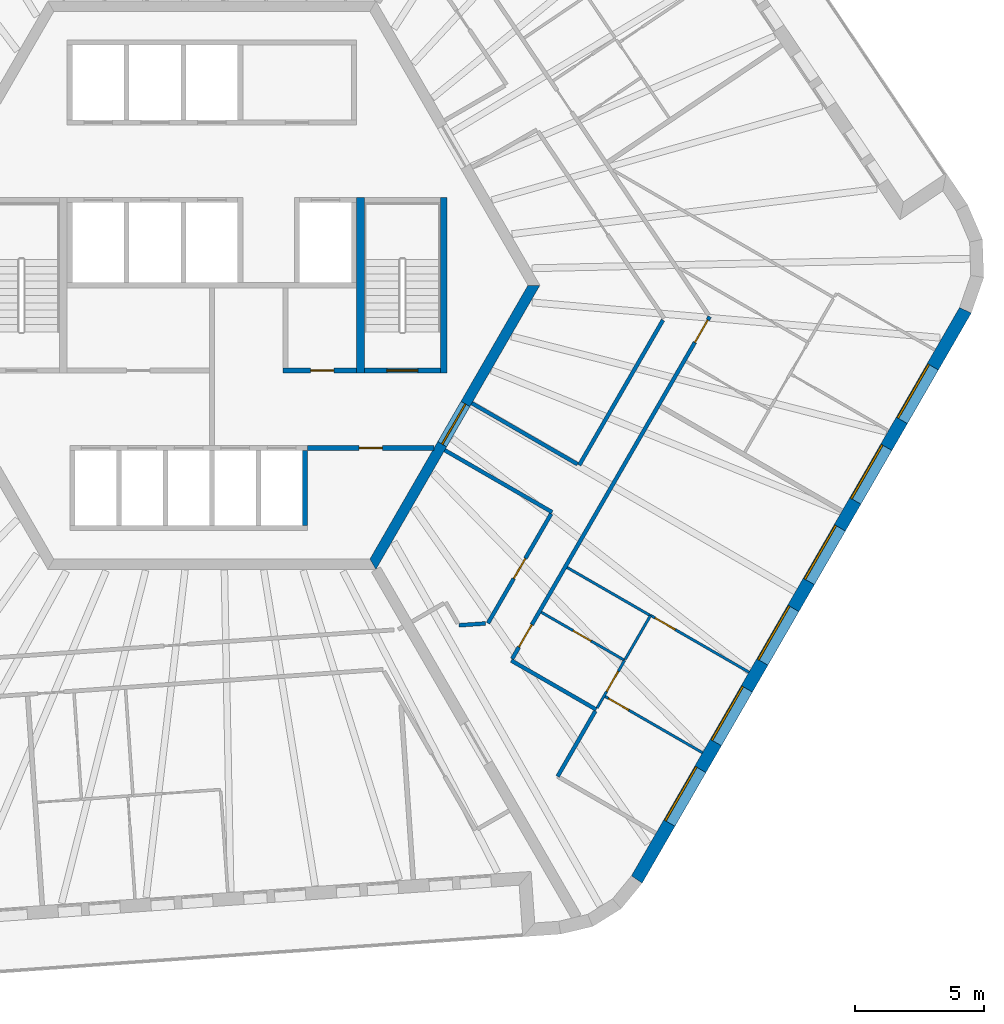
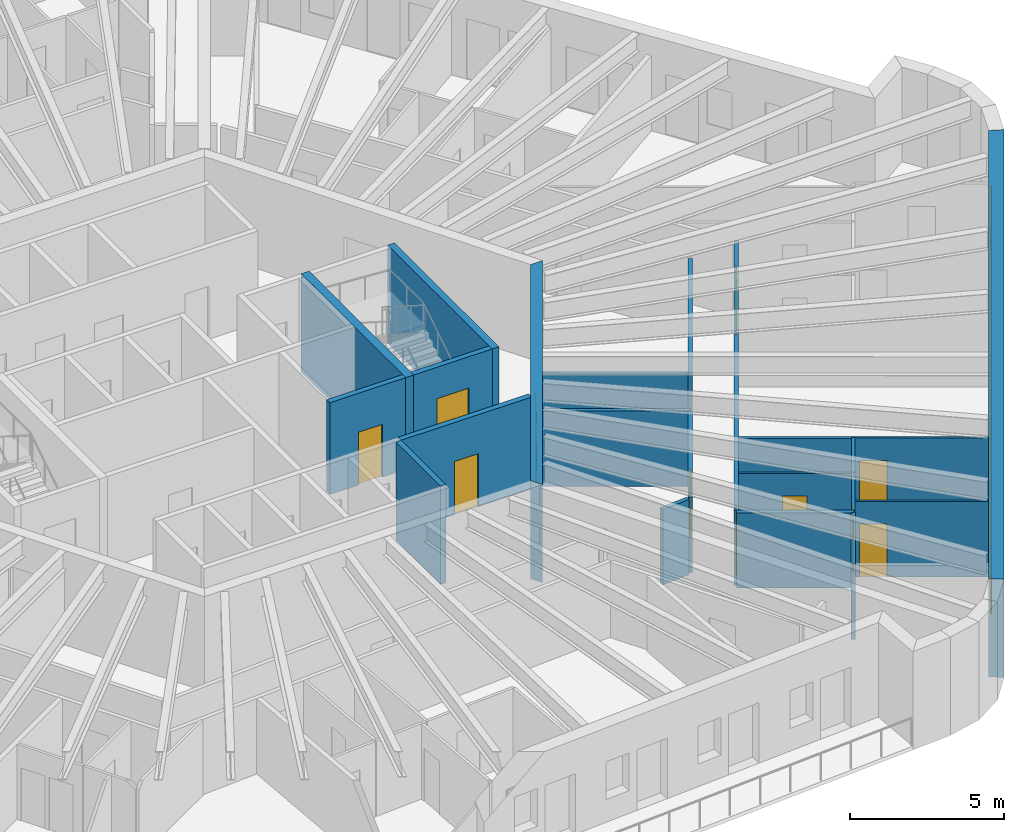
# One storey, part 6 of 12: 22 walls, 11 doors, 6 windows, 17 openings.
"""IFC4 building model written with IfcOpenShell, lengths in metres."""

from ifc_helpers import new_model, si_unit, direction, frame, frame_2d, origin, place, context, subcontext, project, spatial, polyline, rectangle, outline, extrude, material, layer, layer_set, type_object, element, fill, save


model = new_model("IFC4")

# Units and contexts
model_context = context("Model", 3, precision=1e-05, world=origin(), true_north=direction((0.0, 1.0)))
body_context = subcontext(model_context, "Body", "Model", "MODEL_VIEW")
ifc_project = project(units=[si_unit("LENGTHUNIT", "METRE"), si_unit("AREAUNIT", "SQUARE_METRE"), si_unit("VOLUMEUNIT", "CUBIC_METRE"), si_unit("PLANEANGLEUNIT", "RADIAN"), si_unit("MASSUNIT", "GRAM", prefix="KILO")], contexts=[model_context])

# Site, building, storey
site_placement = place(None, origin())
site = spatial("IfcSite", under=ifc_project, at=site_placement, CompositionType="ELEMENT")
building_placement = place(site_placement, origin())
building = spatial("IfcBuilding", under=site, at=building_placement, Name="Tarnside Tower", CompositionType="ELEMENT")
storey_placement = place(building_placement, frame((0.0, 0.0, 283.5)))
storey = spatial("IfcBuildingStorey", under=building, at=storey_placement, Name="L68", CompositionType="ELEMENT", Elevation=283.5)

# Wall
ifc_material_1 = material(Name="Gypsum board partition on steel studs", Category="steel")
ifc_layer_1 = layer(ifc_material_1, 0.10009765625)
ifc_layer_set_1 = layer_set([ifc_layer_1], Name="Bathroom wall 100")
wall_type_1 = type_object("IfcWallType", Name="Bathroom wall 100", PredefinedType="PARTITIONING", material=ifc_layer_set_1)
wall_1_placement = place(storey_placement, frame((13.754150390625, -10.92724609375, 0.0), z_axis=(0.0, 0.0, 1.0), x_axis=(0.866040420308, -0.499973989716, 0.0)))
element("IfcWall", 1, at=wall_1_placement, inside=storey, type_object=wall_type_1, Name="Bathroom wall 22146", PredefinedType="PARTITIONING", context=body_context, shape_type="SweptSolid", body=[
    extrude(rectangle(XDim=3.724853515625, YDim=0.10009765625, at=frame_2d((1.8623046875, 0.0))), origin(), (0.0, 0.0, 1.0), 2.98779296875),
])

# Wall, opening, door
wall_2_placement = place(storey_placement, frame((15.97998046875, -14.521728515625, 0.0), z_axis=(0.0, 0.0, 1.0), x_axis=(-0.866012039196, 0.500023147432, 0.0)))
wall_2 = element("IfcWall", 2, at=wall_2_placement, inside=storey, type_object=wall_type_1, Name="Bathroom wall 22150", PredefinedType="PARTITIONING", context=body_context, shape_type="SweptSolid", body=[
    extrude(rectangle(XDim=3.724853515625, YDim=0.10009765625, at=frame_2d((1.8623046875, 0.0))), origin(), (0.0, 0.0, 1.0), 2.98779296875),
])
opening_1_placement = place(wall_2_placement, frame((1.5, 0.0, 0.0)))
opening_1 = element("IfcOpeningElement", 3, at=opening_1_placement, cuts=wall_2, Name="Opening D-B1", PredefinedType="OPENING", context=body_context, shape_type="SweptSolid", body=[
    extrude(rectangle(XDim=0.800048828125, YDim=2.10009765625, at=frame_2d((0.39990234375, 1.050048828125))), frame((0.0, 0.06005859375, 0.0), z_axis=(0.0, -1.0, 0.0), x_axis=(1.0, 0.0, 0.0)), (0.0, 0.0, 1.0), 0.1201171875),
])
ifc_material_2 = material(Name="Timber door leaf", Category="wood")
door_type_1 = type_object("IfcDoorType", Name="Bathroom door 800", OperationType="NOTDEFINED", PredefinedType="DOOR", material=ifc_material_2)
door_1_placement = place(opening_1_placement, origin())
door_1 = element("IfcDoor", 4, at=door_1_placement, inside=storey, type_object=door_type_1, Name="Bathroom door 22056", OperationType="SINGLE_SWING_LEFT", OverallHeight=2.10009765625, OverallWidth=0.800048828125, PredefinedType="DOOR", context=body_context, shape_type="SweptSolid", body=[
    extrude(rectangle(XDim=0.800048828125, YDim=2.10009765625, at=frame_2d((0.39990234375, 1.050048828125))), frame((0.0, 0.02490234375, 0.0), z_axis=(0.0, -1.0, 0.0), x_axis=(1.0, 0.0, 0.0)), (0.0, 0.0, 1.0), 0.050048828125),
])
fill(opening_1, door_1)

# Wall
wall_3_placement = place(storey_placement, frame((16.004150390625, -14.480224609375, 0.0), z_axis=(0.0, 0.0, 1.0), x_axis=(0.499888292545, 0.866089888508, 0.0)))
element("IfcWall", 5, at=wall_3_placement, inside=storey, type_object=wall_type_1, Name="Bathroom wall 22153", PredefinedType="PARTITIONING", context=body_context, shape_type="SweptSolid", body=[
    extrude(rectangle(XDim=1.9541015625, YDim=0.10009765625, at=frame_2d((0.97705078125, 0.0))), origin(), (0.0, 0.0, 1.0), 2.98779296875),
])

# Wall, opening, door
ifc_material_3 = material(Name="Concrete C40/50", Category="concrete")
ifc_layer_2 = layer(ifc_material_3, 0.199951171875)
ifc_layer_set_2 = layer_set([ifc_layer_2], Name="Core room partition 200 C40/50")
wall_type_2 = type_object("IfcWallType", Name="Core room partition 200 C40/50", PredefinedType="PARTITIONING", material=ifc_layer_set_2)
wall_4_placement = place(storey_placement, frame((2.75, -3.300048828125, 0.0), z_axis=(0.0, 0.0, 1.0), x_axis=(1.0, 0.0, 0.0)))
wall_4 = element("IfcWall", 6, at=wall_4_placement, inside=storey, type_object=wall_type_2, Name="L68 core partition R3S1", PredefinedType="PARTITIONING", context=body_context, shape_type="SweptSolid", body=[
    extrude(rectangle(XDim=2.85009765625, YDim=0.199951171875, at=frame_2d((1.425048828125, 0.0))), origin(), (0.0, 0.0, 1.0), 3.64990234375),
])
opening_2_placement = place(wall_4_placement, frame((1.074951171875, 0.0, 0.0)))
opening_2 = element("IfcOpeningElement", 7, at=opening_2_placement, cuts=wall_4, Name="Opening CD-room", PredefinedType="OPENING", context=body_context, shape_type="SweptSolid", body=[
    extrude(rectangle(XDim=0.89990234375, YDim=2.10009765625, at=frame_2d((0.449951171875, 1.050048828125))), frame((0.0, 0.10986328125, 0.0), z_axis=(0.0, -1.0, 0.0), x_axis=(1.0, 0.0, 0.0)), (0.0, 0.0, 1.0), 0.219970703125),
])
ifc_material_4 = material(Name="Steel fire door", Category="steel")
door_type_2 = type_object("IfcDoorType", Name="Room door FD60 900x2100", OperationType="NOTDEFINED", PredefinedType="DOOR", material=ifc_material_4)
door_2_placement = place(opening_2_placement, origin())
door_2 = element("IfcDoor", 8, at=door_2_placement, inside=storey, type_object=door_type_2, Name="L68 core room door SR1", OperationType="SINGLE_SWING_LEFT", OverallHeight=2.10009765625, OverallWidth=0.89990234375, PredefinedType="DOOR", context=body_context, shape_type="SweptSolid", body=[
    extrude(rectangle(XDim=0.89990234375, YDim=2.10009765625, at=frame_2d((0.449951171875, 1.050048828125))), frame((0.0, 0.02490234375, 0.0), z_axis=(0.0, -1.0, 0.0), x_axis=(1.0, 0.0, 0.0)), (0.0, 0.0, 1.0), 0.050048828125),
])
fill(opening_2, door_2)

wall_5_placement = place(storey_placement, frame((3.699951171875, -6.300048828125, 0.0), z_axis=(0.0, 0.0, 1.0), x_axis=(1.0, 0.0, 0.0)))
wall_5 = element("IfcWall", 9, at=wall_5_placement, inside=storey, type_object=wall_type_2, Name="L68 core partition R4X", PredefinedType="PARTITIONING", context=body_context, shape_type="SweptSolid", body=[
    extrude(rectangle(XDim=4.902587890625, YDim=0.199951171875, at=frame_2d((2.451171875, 0.0))), origin(), (0.0, 0.0, 1.0), 3.64990234375),
])
opening_3_placement = place(wall_5_placement, frame((2.001220703125, 0.0, 0.0)))
opening_3 = element("IfcOpeningElement", 10, at=opening_3_placement, cuts=wall_5, Name="Opening CD-room", PredefinedType="OPENING", context=body_context, shape_type="SweptSolid", body=[
    extrude(rectangle(XDim=0.89990234375, YDim=2.10009765625, at=frame_2d((0.449951171875, 1.050048828125))), frame((0.0, 0.10986328125, 0.0), z_axis=(0.0, -1.0, 0.0), x_axis=(1.0, 0.0, 0.0)), (0.0, 0.0, 1.0), 0.219970703125),
])
door_3_placement = place(opening_3_placement, origin())
door_3 = element("IfcDoor", 11, at=door_3_placement, inside=storey, type_object=door_type_2, Name="L68 core room door RX", OperationType="SINGLE_SWING_LEFT", OverallHeight=2.10009765625, OverallWidth=0.89990234375, PredefinedType="DOOR", context=body_context, shape_type="SweptSolid", body=[
    extrude(rectangle(XDim=0.89990234375, YDim=2.10009765625, at=frame_2d((0.449951171875, 1.050048828125))), frame((0.0, 0.02490234375, 0.0), z_axis=(0.0, -1.0, 0.0), x_axis=(1.0, 0.0, 0.0)), (0.0, 0.0, 1.0), 0.050048828125),
])
fill(opening_3, door_3)

ifc_material_5 = material(Name="Concrete C60/75", Category="concrete")
ifc_layer_3 = layer(ifc_material_5, 0.39990234375)
ifc_layer_set_3 = layer_set([ifc_layer_3], Name="Core wall Z3 400 C60/75")
wall_type_3 = type_object("IfcWallType", Name="Core wall Z3 400 C60/75", PredefinedType="SHEAR", material=ifc_layer_set_3)
wall_6_placement = place(storey_placement, frame((6.2353515625, -10.800048828125, -0.14990234375), z_axis=(0.0, 0.0, 1.0), x_axis=(0.499996419489, 0.866027470984, 0.0)))
wall_6 = element("IfcWall", 12, at=wall_6_placement, inside=storey, type_object=wall_type_3, Name="L68 core wall face 5", PredefinedType="SHEAR", context=body_context, shape_type="SweptSolid", body=[
    extrude(outline(polyline([(-0.115478515625, -0.199951171875), (12.586181640625, -0.199951171875), (12.355224609375, 0.199951171875), (0.115478515625, 0.199951171875), (-0.115478515625, -0.199951171875)])), origin(), (0.0, 0.0, 1.0), 3.89990234375),
])
opening_4_placement = place(wall_6_placement, frame((5.3642578125, 0.0, 0.14990234375)))
opening_4 = element("IfcOpeningElement", 13, at=opening_4_placement, cuts=wall_6, Name="Opening CD-FFL", PredefinedType="OPENING", context=body_context, shape_type="SweptSolid", body=[
    extrude(rectangle(XDim=1.800048828125, YDim=2.39990234375, at=frame_2d((0.89990234375, 1.199951171875))), frame((0.0, 0.2099609375, 0.0), z_axis=(0.0, -1.0, 0.0), x_axis=(1.0, 0.0, 0.0)), (0.0, 0.0, 1.0), 0.419921875),
])
door_type_3 = type_object("IfcDoorType", Name="Firefighting lobby double door FD60S 1800x2400", OperationType="NOTDEFINED", PredefinedType="DOOR", material=ifc_material_4)
door_4_placement = place(opening_4_placement, origin())
door_4 = element("IfcDoor", 14, at=door_4_placement, inside=storey, type_object=door_type_3, Name="L68 core door P4", OperationType="DOUBLE_DOOR_SINGLE_SWING", OverallHeight=2.39990234375, OverallWidth=1.800048828125, PredefinedType="DOOR", context=body_context, shape_type="SweptSolid", body=[
    extrude(rectangle(XDim=1.800048828125, YDim=2.39990234375, at=frame_2d((0.89990234375, 1.199951171875))), frame((0.0, 0.02490234375, 0.0), z_axis=(0.0, -1.0, 0.0), x_axis=(1.0, 0.0, 0.0)), (0.0, 0.0, 1.0), 0.050048828125),
])
fill(opening_4, door_4)

# Wall, openings, doors
ifc_layer_4 = layer(ifc_material_1, 0.14990234375)
ifc_layer_set_4 = layer_set([ifc_layer_4], Name="Corridor wall 150 EI 60")
wall_type_4 = type_object("IfcWallType", Name="Corridor wall 150 EI 60", PredefinedType="PARTITIONING", material=ifc_layer_set_4)
wall_7_placement = place(storey_placement, frame((11.626708984375, -14.4619140625, 0.0), z_axis=(0.0, 0.0, 1.0), x_axis=(0.499994634027, 0.866028501808, 0.0)))
wall_7 = element("IfcWall", 15, at=wall_7_placement, inside=storey, type_object=wall_type_4, Name="Corridor wall 22055", PredefinedType="PARTITIONING", context=body_context, shape_type="SweptSolid", body=[
    extrude(rectangle(XDim=15.296142578125, YDim=0.14990234375, at=frame_2d((7.64794921875, 0.0))), origin(), (0.0, 0.0, 1.0), 2.98779296875),
])
opening_5_placement = place(wall_7_placement, frame((0.52490234375, 0.0, 0.0)))
opening_5 = element("IfcOpeningElement", 16, at=opening_5_placement, cuts=wall_7, Name="Opening D-E1", PredefinedType="OPENING", context=body_context, shape_type="SweptSolid", body=[
    extrude(rectangle(XDim=1.0, YDim=2.10009765625, at=frame_2d((0.5, 1.050048828125))), frame((0.0, 0.0849609375, 0.0), z_axis=(0.0, -1.0, 0.0), x_axis=(1.0, 0.0, 0.0)), (0.0, 0.0, 1.0), 0.169921875),
])
opening_6_placement = place(wall_7_placement, frame((14.146240234375, 0.0, 0.0)))
opening_6 = element("IfcOpeningElement", 17, at=opening_6_placement, cuts=wall_7, Name="Opening D-E1", PredefinedType="OPENING", context=body_context, shape_type="SweptSolid", body=[
    extrude(rectangle(XDim=1.0, YDim=2.10009765625, at=frame_2d((0.5, 1.050048828125))), frame((0.0, 0.0849609375, 0.0), z_axis=(0.0, -1.0, 0.0), x_axis=(1.0, 0.0, 0.0)), (0.0, 0.0, 1.0), 0.169921875),
])
door_type_4 = type_object("IfcDoorType", Name="Unit entrance door 1000 FD30S", OperationType="NOTDEFINED", PredefinedType="DOOR", material=ifc_material_2)
door_5_placement = place(opening_5_placement, origin())
door_5 = element("IfcDoor", 18, at=door_5_placement, inside=storey, type_object=door_type_4, Name="Unit door 22055", OperationType="SINGLE_SWING_RIGHT", OverallHeight=2.10009765625, OverallWidth=1.0, PredefinedType="DOOR", context=body_context, shape_type="SweptSolid", body=[
    extrude(rectangle(XDim=1.0, YDim=2.10009765625, at=frame_2d((0.5, 1.050048828125))), frame((0.0, 0.02490234375, 0.0), z_axis=(0.0, -1.0, 0.0), x_axis=(1.0, 0.0, 0.0)), (0.0, 0.0, 1.0), 0.050048828125),
])
fill(opening_5, door_5)
door_6_placement = place(opening_6_placement, origin())
door_6 = element("IfcDoor", 19, at=door_6_placement, inside=storey, type_object=door_type_4, Name="Unit door 22065", OperationType="SINGLE_SWING_LEFT", OverallHeight=2.10009765625, OverallWidth=1.0, PredefinedType="DOOR", context=body_context, shape_type="SweptSolid", body=[
    extrude(rectangle(XDim=1.0, YDim=2.10009765625, at=frame_2d((0.5, 1.050048828125))), frame((0.0, 0.02490234375, 0.0), z_axis=(0.0, -1.0, 0.0), x_axis=(1.0, 0.0, 0.0)), (0.0, 0.0, 1.0), 0.050048828125),
])
fill(opening_6, door_6)

# Walls
wall_8_placement = place(storey_placement, frame((14.880126953125, -16.427001953125, 0.0), z_axis=(0.0, 0.0, 1.0), x_axis=(-0.86601654697, 0.500015340139, 0.0)))
element("IfcWall", 20, at=wall_8_placement, inside=storey, type_object=wall_type_4, Name="Corridor wall 22056", PredefinedType="PARTITIONING", context=body_context, shape_type="SweptSolid", body=[
    extrude(rectangle(XDim=3.80029296875, YDim=0.14990234375, at=frame_2d((1.900146484375, 0.0))), origin(), (0.0, 0.0, 1.0), 2.98779296875),
])
wall_9_placement = place(storey_placement, frame((13.38623046875, -19.014404296875, 0.0), z_axis=(0.0, 0.0, 1.0), x_axis=(0.499983307531, 0.866035040971, 0.0)))
element("IfcWall", 21, at=wall_9_placement, inside=storey, type_object=wall_type_4, Name="Corridor wall 22059", PredefinedType="PARTITIONING", context=body_context, shape_type="SweptSolid", body=[
    extrude(rectangle(XDim=2.91650390625, YDim=0.14990234375, at=frame_2d((1.458251953125, 0.0))), origin(), (0.0, 0.0, 1.0), 2.98779296875),
])
wall_10_placement = place(storey_placement, frame((17.46533203125, -1.34912109375, 0.0), z_axis=(0.0, 0.0, 1.0), x_axis=(-0.500001610943, -0.866024473704, 0.0)))
element("IfcWall", 22, at=wall_10_placement, inside=storey, type_object=wall_type_4, Name="Corridor wall 22074", PredefinedType="PARTITIONING", context=body_context, shape_type="SweptSolid", body=[
    extrude(rectangle(XDim=6.4853515625, YDim=0.14990234375, at=frame_2d((3.24267578125, 0.0))), origin(), (0.0, 0.0, 1.0), 2.98779296875),
])
wall_11_placement = place(storey_placement, frame((14.15771484375, -6.92822265625, 0.0), z_axis=(0.0, 0.0, 1.0), x_axis=(-0.866024684746, 0.500001245408, 0.0)))
element("IfcWall", 23, at=wall_11_placement, inside=storey, type_object=wall_type_4, Name="Corridor wall 22075", PredefinedType="PARTITIONING", context=body_context, shape_type="SweptSolid", body=[
    extrude(rectangle(XDim=4.72509765625, YDim=0.14990234375, at=frame_2d((2.362548828125, 0.0))), origin(), (0.0, 0.0, 1.0), 2.98779296875),
])
wall_12_placement = place(storey_placement, frame((9.015625, -6.38427734375, 0.0), z_axis=(0.0, 0.0, 1.0), x_axis=(0.866015339567, -0.500017431331, 0.0)))
element("IfcWall", 24, at=wall_12_placement, inside=storey, type_object=wall_type_4, Name="Corridor wall 22076", PredefinedType="PARTITIONING", context=body_context, shape_type="SweptSolid", body=[
    extrude(rectangle(XDim=4.800048828125, YDim=0.14990234375, at=frame_2d((2.39990234375, 0.0))), origin(), (0.0, 0.0, 1.0), 2.98779296875),
])

# Wall, opening, door
wall_13_placement = place(storey_placement, frame((13.13525390625, -8.849365234375, 0.0), z_axis=(0.0, 0.0, 1.0), x_axis=(-0.500024829938, -0.866011067739, 0.0)))
wall_13 = element("IfcWall", 25, at=wall_13_placement, inside=storey, type_object=wall_type_4, Name="Corridor wall 22077", PredefinedType="PARTITIONING", context=body_context, shape_type="SweptSolid", body=[
    extrude(rectangle(XDim=4.892333984375, YDim=0.14990234375, at=frame_2d((2.4462890625, 0.0))), origin(), (0.0, 0.0, 1.0), 2.98779296875),
])
opening_7_placement = place(wall_13_placement, frame((1.996337890625, 0.0, 0.0)))
opening_7 = element("IfcOpeningElement", 26, at=opening_7_placement, cuts=wall_13, Name="Opening D-S1", PredefinedType="OPENING", context=body_context, shape_type="SweptSolid", body=[
    extrude(rectangle(XDim=0.89990234375, YDim=2.10009765625, at=frame_2d((0.449951171875, 1.050048828125))), frame((0.0, 0.0849609375, 0.0), z_axis=(0.0, -1.0, 0.0), x_axis=(1.0, 0.0, 0.0)), (0.0, 0.0, 1.0), 0.169921875),
])
door_type_5 = type_object("IfcDoorType", Name="Service room door 900 FD30S", OperationType="NOTDEFINED", PredefinedType="DOOR", material=ifc_material_2)
door_7_placement = place(opening_7_placement, origin())
door_7 = element("IfcDoor", 27, at=door_7_placement, inside=storey, type_object=door_type_5, Name="Service door 22091", OperationType="SINGLE_SWING_LEFT", OverallHeight=2.10009765625, OverallWidth=0.89990234375, PredefinedType="DOOR", context=body_context, shape_type="SweptSolid", body=[
    extrude(rectangle(XDim=0.89990234375, YDim=2.10009765625, at=frame_2d((0.449951171875, 1.050048828125))), frame((0.0, 0.02490234375, 0.0), z_axis=(0.0, -1.0, 0.0), x_axis=(1.0, 0.0, 0.0)), (0.0, 0.0, 1.0), 0.050048828125),
])
fill(opening_7, door_7)

# Walls
wall_14_placement = place(storey_placement, frame((10.5986328125, -13.092529296875, 0.0), z_axis=(0.0, 0.0, 1.0), x_axis=(-0.99755453913, -0.069892356245, 0.0)))
element("IfcWall", 28, at=wall_14_placement, inside=storey, type_object=wall_type_4, Name="Corridor wall 22078", PredefinedType="PARTITIONING", context=body_context, shape_type="SweptSolid", body=[
    extrude(rectangle(XDim=1.037353515625, YDim=0.14990234375, at=frame_2d((0.5185546875, 0.0))), origin(), (0.0, 0.0, 1.0), 2.98779296875),
])
ifc_layer_5 = layer(ifc_material_3, 0.199951171875)
ifc_layer_set_5 = layer_set([ifc_layer_5], Name="Lift shaft wall 200 C40/50")
wall_type_5 = type_object("IfcWallType", Name="Lift shaft wall 200 C40/50", PredefinedType="SHEAR", material=ifc_layer_set_5)
wall_15_placement = place(storey_placement, frame((3.60009765625, -9.300048828125, -0.25), z_axis=(0.0, 0.0, 1.0), x_axis=(0.0, 1.0, 0.0)))
element("IfcWall", 29, at=wall_15_placement, inside=storey, type_object=wall_type_5, Name="L68 lift shaft partition R46", PredefinedType="SHEAR", context=body_context, shape_type="SweptSolid", body=[
    extrude(rectangle(XDim=2.900146484375, YDim=0.199951171875, at=frame_2d((1.4501953125, 0.0))), origin(), (0.0, 0.0, 1.0), 3.89990234375),
])

# Wall, opening, door
wall_16_placement = place(storey_placement, frame((5.89990234375, -3.300048828125, -0.25), z_axis=(0.0, 0.0, 1.0), x_axis=(1.0, 0.0, 0.0)))
wall_16 = element("IfcWall", 30, at=wall_16_placement, inside=storey, type_object=wall_type_5, Name="L68 stair 1 enclosure cap wall s", PredefinedType="SHEAR", context=body_context, shape_type="SweptSolid", body=[
    extrude(rectangle(XDim=2.9501953125, YDim=0.199951171875, at=frame_2d((1.47509765625, 0.0))), origin(), (0.0, 0.0, 1.0), 3.89990234375),
])
opening_8_placement = place(wall_16_placement, frame((0.875, 0.0, 0.25)))
opening_8 = element("IfcOpeningElement", 31, at=opening_8_placement, cuts=wall_16, Name="Opening CD-STR", PredefinedType="OPENING", context=body_context, shape_type="SweptSolid", body=[
    extrude(rectangle(XDim=1.199951171875, YDim=2.39990234375, at=frame_2d((0.60009765625, 1.199951171875))), frame((0.0, 0.10986328125, 0.0), z_axis=(0.0, -1.0, 0.0), x_axis=(1.0, 0.0, 0.0)), (0.0, 0.0, 1.0), 0.219970703125),
])
door_type_6 = type_object("IfcDoorType", Name="Stair door FD60S 1200x2400", OperationType="NOTDEFINED", PredefinedType="DOOR", material=ifc_material_4)
door_8_placement = place(opening_8_placement, origin())
door_8 = element("IfcDoor", 32, at=door_8_placement, inside=storey, type_object=door_type_6, Name="L68 stair 1 door", OperationType="SINGLE_SWING_LEFT", OverallHeight=2.39990234375, OverallWidth=1.199951171875, PredefinedType="DOOR", context=body_context, shape_type="SweptSolid", body=[
    extrude(rectangle(XDim=1.199951171875, YDim=2.39990234375, at=frame_2d((0.60009765625, 1.199951171875))), frame((0.0, 0.02490234375, 0.0), z_axis=(0.0, -1.0, 0.0), x_axis=(1.0, 0.0, 0.0)), (0.0, 0.0, 1.0), 0.050048828125),
])
fill(opening_8, door_8)

ifc_layer_6 = layer(ifc_material_1, 0.10009765625)
ifc_layer_set_6 = layer_set([ifc_layer_6], Name="Partition 100")
wall_type_6 = type_object("IfcWallType", Name="Partition 100", PredefinedType="PARTITIONING", material=ifc_layer_set_6)
wall_17_placement = place(storey_placement, frame((16.985595703125, -12.7802734375, 0.0), z_axis=(0.0, 0.0, 1.0), x_axis=(0.866032203192, -0.499988222896, 0.0)))
wall_17 = element("IfcWall", 33, at=wall_17_placement, inside=storey, type_object=wall_type_6, Name="Partition wall 22147", PredefinedType="PARTITIONING", context=body_context, shape_type="SweptSolid", body=[
    extrude(rectangle(XDim=4.39990234375, YDim=0.10009765625, at=frame_2d((2.199951171875, 0.0))), origin(), (0.0, 0.0, 1.0), 2.98779296875),
])
opening_9_placement = place(wall_17_placement, frame((0.199951171875, 0.0, 0.0)))
opening_9 = element("IfcOpeningElement", 34, at=opening_9_placement, cuts=wall_17, Name="Opening D-I1", PredefinedType="OPENING", context=body_context, shape_type="SweptSolid", body=[
    extrude(rectangle(XDim=0.89990234375, YDim=2.10009765625, at=frame_2d((0.449951171875, 1.050048828125))), frame((0.0, 0.06005859375, 0.0), z_axis=(0.0, -1.0, 0.0), x_axis=(1.0, 0.0, 0.0)), (0.0, 0.0, 1.0), 0.1201171875),
])
door_type_7 = type_object("IfcDoorType", Name="Internal door 900", OperationType="NOTDEFINED", PredefinedType="DOOR", material=ifc_material_2)
door_9_placement = place(opening_9_placement, origin())
door_9 = element("IfcDoor", 35, at=door_9_placement, inside=storey, type_object=door_type_7, Name="Internal door 22064", OperationType="SINGLE_SWING_RIGHT", OverallHeight=2.10009765625, OverallWidth=0.89990234375, PredefinedType="DOOR", context=body_context, shape_type="SweptSolid", body=[
    extrude(rectangle(XDim=0.89990234375, YDim=2.10009765625, at=frame_2d((0.449951171875, 1.050048828125))), frame((0.0, 0.02490234375, 0.0), z_axis=(0.0, -1.0, 0.0), x_axis=(1.0, 0.0, 0.0)), (0.0, 0.0, 1.0), 0.050048828125),
])
fill(opening_9, door_9)

wall_18_placement = place(storey_placement, frame((14.91650390625, -16.36376953125, 0.0), z_axis=(0.0, 0.0, 1.0), x_axis=(0.499987164874, 0.866032814021, 0.0)))
wall_18 = element("IfcWall", 36, at=wall_18_placement, inside=storey, type_object=wall_type_6, Name="Partition wall 22151", PredefinedType="PARTITIONING", context=body_context, shape_type="SweptSolid", body=[
    extrude(rectangle(XDim=2.12890625, YDim=0.10009765625, at=frame_2d((1.064453125, 0.0))), origin(), (0.0, 0.0, 1.0), 2.98779296875),
])
opening_10_placement = place(wall_18_placement, frame((0.738037109375, 0.0, 0.0)))
opening_10 = element("IfcOpeningElement", 37, at=opening_10_placement, cuts=wall_18, Name="Opening D-I1", PredefinedType="OPENING", context=body_context, shape_type="SweptSolid", body=[
    extrude(rectangle(XDim=0.89990234375, YDim=2.10009765625, at=frame_2d((0.449951171875, 1.050048828125))), frame((0.0, 0.06005859375, 0.0), z_axis=(0.0, -1.0, 0.0), x_axis=(1.0, 0.0, 0.0)), (0.0, 0.0, 1.0), 0.1201171875),
])
door_10_placement = place(opening_10_placement, origin())
door_10 = element("IfcDoor", 38, at=door_10_placement, inside=storey, type_object=door_type_7, Name="Internal door 22059", OperationType="SINGLE_SWING_RIGHT", OverallHeight=2.10009765625, OverallWidth=0.89990234375, PredefinedType="DOOR", context=body_context, shape_type="SweptSolid", body=[
    extrude(rectangle(XDim=0.89990234375, YDim=2.10009765625, at=frame_2d((0.449951171875, 1.050048828125))), frame((0.0, 0.02490234375, 0.0), z_axis=(0.0, -1.0, 0.0), x_axis=(1.0, 0.0, 0.0)), (0.0, 0.0, 1.0), 0.050048828125),
])
fill(opening_10, door_10)

wall_19_placement = place(storey_placement, frame((18.99609375, -18.097900390625, 0.0), z_axis=(0.0, 0.0, 1.0), x_axis=(-0.866027639635, 0.499996127374, 0.0)))
wall_19 = element("IfcWall", 39, at=wall_19_placement, inside=storey, type_object=wall_type_6, Name="Partition wall 22154", PredefinedType="PARTITIONING", context=body_context, shape_type="SweptSolid", body=[
    extrude(rectangle(XDim=4.35009765625, YDim=0.10009765625, at=frame_2d((2.175048828125, 0.0))), origin(), (0.0, 0.0, 1.0), 2.98779296875),
])
opening_11_placement = place(wall_19_placement, frame((3.300048828125, 0.0, 0.0)))
opening_11 = element("IfcOpeningElement", 40, at=opening_11_placement, cuts=wall_19, Name="Opening D-I1", PredefinedType="OPENING", context=body_context, shape_type="SweptSolid", body=[
    extrude(rectangle(XDim=0.89990234375, YDim=2.10009765625, at=frame_2d((0.449951171875, 1.050048828125))), frame((0.0, 0.06005859375, 0.0), z_axis=(0.0, -1.0, 0.0), x_axis=(1.0, 0.0, 0.0)), (0.0, 0.0, 1.0), 0.1201171875),
])
door_11_placement = place(opening_11_placement, origin())
door_11 = element("IfcDoor", 41, at=door_11_placement, inside=storey, type_object=door_type_7, Name="Internal door 22062", OperationType="SINGLE_SWING_RIGHT", OverallHeight=2.10009765625, OverallWidth=0.89990234375, PredefinedType="DOOR", context=body_context, shape_type="SweptSolid", body=[
    extrude(rectangle(XDim=0.89990234375, YDim=2.10009765625, at=frame_2d((0.449951171875, 1.050048828125))), frame((0.0, 0.02490234375, 0.0), z_axis=(0.0, -1.0, 0.0), x_axis=(1.0, 0.0, 0.0)), (0.0, 0.0, 1.0), 0.050048828125),
])
fill(opening_11, door_11)

# Walls
ifc_layer_7 = layer(ifc_material_3, 0.25)
ifc_layer_set_7 = layer_set([ifc_layer_7], Name="Stair enclosure wall 250 C40/50")
wall_type_7 = type_object("IfcWallType", Name="Stair enclosure wall 250 C40/50", PredefinedType="SHEAR", material=ifc_layer_set_7)
wall_20_placement = place(storey_placement, frame((8.97509765625, -3.39990234375, -0.25), z_axis=(0.0, 0.0, 1.0), x_axis=(0.0, 1.0, 0.0)))
element("IfcWall", 42, at=wall_20_placement, inside=storey, type_object=wall_type_7, Name="L68 stair 1 enclosure wall outer", PredefinedType="SHEAR", context=body_context, shape_type="SweptSolid", body=[
    extrude(rectangle(XDim=6.7998046875, YDim=0.25, at=frame_2d((3.39990234375, 0.0))), origin(), (0.0, 0.0, 1.0), 3.89990234375),
])
ifc_layer_8 = layer(ifc_material_3, 0.300048828125)
ifc_layer_set_8 = layer_set([ifc_layer_8], Name="Stair enclosure wall 300 C40/50")
wall_type_8 = type_object("IfcWallType", Name="Stair enclosure wall 300 C40/50", PredefinedType="SHEAR", material=ifc_layer_set_8)
wall_21_placement = place(storey_placement, frame((5.75, -3.39990234375, -0.25), z_axis=(0.0, 0.0, 1.0), x_axis=(0.0, 1.0, 0.0)))
element("IfcWall", 43, at=wall_21_placement, inside=storey, type_object=wall_type_8, Name="L68 stair 1 enclosure wall inner", PredefinedType="SHEAR", context=body_context, shape_type="SweptSolid", body=[
    extrude(rectangle(XDim=6.7998046875, YDim=0.300048828125, at=frame_2d((3.39990234375, 0.0))), origin(), (0.0, 0.0, 1.0), 3.89990234375),
])

# Wall, openings, windows
ifc_material_6 = material(Name="Facing brick", Category="masonry")
ifc_layer_9 = layer(ifc_material_6, 0.10205078125)
ifc_material_7 = material(Name="Concrete C60/75 precast", Category="concrete")
ifc_layer_10 = layer(ifc_material_7, 0.298095703125)
ifc_material_8 = material(Name="Mineral wool insulation")
ifc_layer_11 = layer(ifc_material_8, 0.10009765625)
ifc_layer_set_9 = layer_set([ifc_layer_9, ifc_layer_10, ifc_layer_11], Name="Tube wall 500 brick faced")
wall_type_9 = type_object("IfcWallType", Name="Tube wall 500 brick faced", PredefinedType="SOLIDWALL", material=ifc_layer_set_9)
wall_22_placement = place(storey_placement, frame((16.451416015625, -23.00537109375, -0.14990234375), z_axis=(0.0, 0.0, 1.0), x_axis=(0.500003737743, 0.866023245787, 0.0)))
wall_22 = element("IfcWall", 44, at=wall_22_placement, inside=storey, type_object=wall_type_9, Name="Tube wall L68 F5 flush 24", PredefinedType="SOLIDWALL", context=body_context, shape_type="SweptSolid", body=[
    extrude(outline(polyline([(-0.0205078125, -0.25), (25.468017578125, -0.25), (25.421142578125, 0.25), (0.0205078125, 0.25), (-0.0205078125, -0.25)])), origin(), (0.0, 0.0, 1.0), 3.89990234375),
])
opening_12_placement = place(wall_22_placement, frame((2.5224609375, 0.0, 0.75)))
opening_12 = element("IfcOpeningElement", 45, at=opening_12_placement, cuts=wall_22, Name="Opening WR", PredefinedType="OPENING", context=body_context, shape_type="SweptSolid", body=[
    extrude(rectangle(XDim=2.39990234375, YDim=2.699951171875, at=frame_2d((1.199951171875, 1.35009765625))), frame((0.0, 0.260009765625, 0.0), z_axis=(0.0, -1.0, 0.0), x_axis=(1.0, 0.0, 0.0)), (0.0, 0.0, 1.0), 0.52001953125),
])
opening_13_placement = place(wall_22_placement, frame((6.122314453125, 0.0, 0.75)))
opening_13 = element("IfcOpeningElement", 46, at=opening_13_placement, cuts=wall_22, Name="Opening WR", PredefinedType="OPENING", context=body_context, shape_type="SweptSolid", body=[
    extrude(rectangle(XDim=2.39990234375, YDim=2.699951171875, at=frame_2d((1.199951171875, 1.35009765625))), frame((0.0, 0.260009765625, 0.0), z_axis=(0.0, -1.0, 0.0), x_axis=(1.0, 0.0, 0.0)), (0.0, 0.0, 1.0), 0.52001953125),
])
opening_14_placement = place(wall_22_placement, frame((9.722412109375, 0.0, 0.75)))
opening_14 = element("IfcOpeningElement", 47, at=opening_14_placement, cuts=wall_22, Name="Opening WR", PredefinedType="OPENING", context=body_context, shape_type="SweptSolid", body=[
    extrude(rectangle(XDim=2.39990234375, YDim=2.699951171875, at=frame_2d((1.199951171875, 1.35009765625))), frame((0.0, 0.260009765625, 0.0), z_axis=(0.0, -1.0, 0.0), x_axis=(1.0, 0.0, 0.0)), (0.0, 0.0, 1.0), 0.52001953125),
])
opening_15_placement = place(wall_22_placement, frame((13.322509765625, 0.0, 0.75)))
opening_15 = element("IfcOpeningElement", 48, at=opening_15_placement, cuts=wall_22, Name="Opening WR", PredefinedType="OPENING", context=body_context, shape_type="SweptSolid", body=[
    extrude(rectangle(XDim=2.39990234375, YDim=2.699951171875, at=frame_2d((1.199951171875, 1.35009765625))), frame((0.0, 0.260009765625, 0.0), z_axis=(0.0, -1.0, 0.0), x_axis=(1.0, 0.0, 0.0)), (0.0, 0.0, 1.0), 0.52001953125),
])
opening_16_placement = place(wall_22_placement, frame((16.92236328125, 0.0, 0.75)))
opening_16 = element("IfcOpeningElement", 49, at=opening_16_placement, cuts=wall_22, Name="Opening WR", PredefinedType="OPENING", context=body_context, shape_type="SweptSolid", body=[
    extrude(rectangle(XDim=2.39990234375, YDim=2.699951171875, at=frame_2d((1.199951171875, 1.35009765625))), frame((0.0, 0.260009765625, 0.0), z_axis=(0.0, -1.0, 0.0), x_axis=(1.0, 0.0, 0.0)), (0.0, 0.0, 1.0), 0.52001953125),
])
opening_17_placement = place(wall_22_placement, frame((20.5224609375, 0.0, 0.75)))
opening_17 = element("IfcOpeningElement", 50, at=opening_17_placement, cuts=wall_22, Name="Opening WR", PredefinedType="OPENING", context=body_context, shape_type="SweptSolid", body=[
    extrude(rectangle(XDim=2.39990234375, YDim=2.699951171875, at=frame_2d((1.199951171875, 1.35009765625))), frame((0.0, 0.260009765625, 0.0), z_axis=(0.0, -1.0, 0.0), x_axis=(1.0, 0.0, 0.0)), (0.0, 0.0, 1.0), 0.52001953125),
])
ifc_material_9 = material(Name="Aluminium-framed double glazing", Category="aluminium")
window_type = type_object("IfcWindowType", Name="Residence window 2400 x 2700", PartitioningType="DOUBLE_PANEL_VERTICAL", PredefinedType="WINDOW", material=ifc_material_9)
window_1_placement = place(opening_12_placement, frame((0.0, 0.179931640625, 0.0)))
window_1 = element("IfcWindow", 51, at=window_1_placement, inside=storey, type_object=window_type, Name="E.WN.L68.F5.00", OverallHeight=2.699951171875, OverallWidth=2.39990234375, PartitioningType="DOUBLE_PANEL_VERTICAL", PredefinedType="WINDOW", context=body_context, shape_type="SweptSolid", body=[
    extrude(rectangle(XDim=2.39990234375, YDim=2.699951171875, at=frame_2d((1.199951171875, 1.35009765625))), frame((0.0, 0.030029296875, 0.0), z_axis=(0.0, -1.0, 0.0), x_axis=(1.0, 0.0, 0.0)), (0.0, 0.0, 1.0), 0.06005859375),
])
fill(opening_12, window_1)
window_2_placement = place(opening_13_placement, frame((0.0, 0.179931640625, 0.0)))
window_2 = element("IfcWindow", 52, at=window_2_placement, inside=storey, type_object=window_type, Name="E.WN.L68.F5.01", OverallHeight=2.699951171875, OverallWidth=2.39990234375, PartitioningType="DOUBLE_PANEL_VERTICAL", PredefinedType="WINDOW", context=body_context, shape_type="SweptSolid", body=[
    extrude(rectangle(XDim=2.39990234375, YDim=2.699951171875, at=frame_2d((1.199951171875, 1.35009765625))), frame((0.0, 0.030029296875, 0.0), z_axis=(0.0, -1.0, 0.0), x_axis=(1.0, 0.0, 0.0)), (0.0, 0.0, 1.0), 0.06005859375),
])
fill(opening_13, window_2)
window_3_placement = place(opening_14_placement, frame((0.0, 0.179931640625, 0.0)))
window_3 = element("IfcWindow", 53, at=window_3_placement, inside=storey, type_object=window_type, Name="E.WN.L68.F5.02", OverallHeight=2.699951171875, OverallWidth=2.39990234375, PartitioningType="DOUBLE_PANEL_VERTICAL", PredefinedType="WINDOW", context=body_context, shape_type="SweptSolid", body=[
    extrude(rectangle(XDim=2.39990234375, YDim=2.699951171875, at=frame_2d((1.199951171875, 1.35009765625))), frame((0.0, 0.030029296875, 0.0), z_axis=(0.0, -1.0, 0.0), x_axis=(1.0, 0.0, 0.0)), (0.0, 0.0, 1.0), 0.06005859375),
])
fill(opening_14, window_3)
window_4_placement = place(opening_15_placement, frame((0.0, 0.179931640625, 0.0)))
window_4 = element("IfcWindow", 54, at=window_4_placement, inside=storey, type_object=window_type, Name="E.WN.L68.F5.03", OverallHeight=2.699951171875, OverallWidth=2.39990234375, PartitioningType="DOUBLE_PANEL_VERTICAL", PredefinedType="WINDOW", context=body_context, shape_type="SweptSolid", body=[
    extrude(rectangle(XDim=2.39990234375, YDim=2.699951171875, at=frame_2d((1.199951171875, 1.35009765625))), frame((0.0, 0.030029296875, 0.0), z_axis=(0.0, -1.0, 0.0), x_axis=(1.0, 0.0, 0.0)), (0.0, 0.0, 1.0), 0.06005859375),
])
fill(opening_15, window_4)
window_5_placement = place(opening_16_placement, frame((0.0, 0.179931640625, 0.0)))
window_5 = element("IfcWindow", 55, at=window_5_placement, inside=storey, type_object=window_type, Name="E.WN.L68.F5.04", OverallHeight=2.699951171875, OverallWidth=2.39990234375, PartitioningType="DOUBLE_PANEL_VERTICAL", PredefinedType="WINDOW", context=body_context, shape_type="SweptSolid", body=[
    extrude(rectangle(XDim=2.39990234375, YDim=2.699951171875, at=frame_2d((1.199951171875, 1.35009765625))), frame((0.0, 0.030029296875, 0.0), z_axis=(0.0, -1.0, 0.0), x_axis=(1.0, 0.0, 0.0)), (0.0, 0.0, 1.0), 0.06005859375),
])
fill(opening_16, window_5)
window_6_placement = place(opening_17_placement, frame((0.0, 0.179931640625, 0.0)))
window_6 = element("IfcWindow", 56, at=window_6_placement, inside=storey, type_object=window_type, Name="E.WN.L68.F5.05", OverallHeight=2.699951171875, OverallWidth=2.39990234375, PartitioningType="DOUBLE_PANEL_VERTICAL", PredefinedType="WINDOW", context=body_context, shape_type="SweptSolid", body=[
    extrude(rectangle(XDim=2.39990234375, YDim=2.699951171875, at=frame_2d((1.199951171875, 1.35009765625))), frame((0.0, 0.030029296875, 0.0), z_axis=(0.0, -1.0, 0.0), x_axis=(1.0, 0.0, 0.0)), (0.0, 0.0, 1.0), 0.06005859375),
])
fill(opening_17, window_6)

save(model, "model.ifc")
